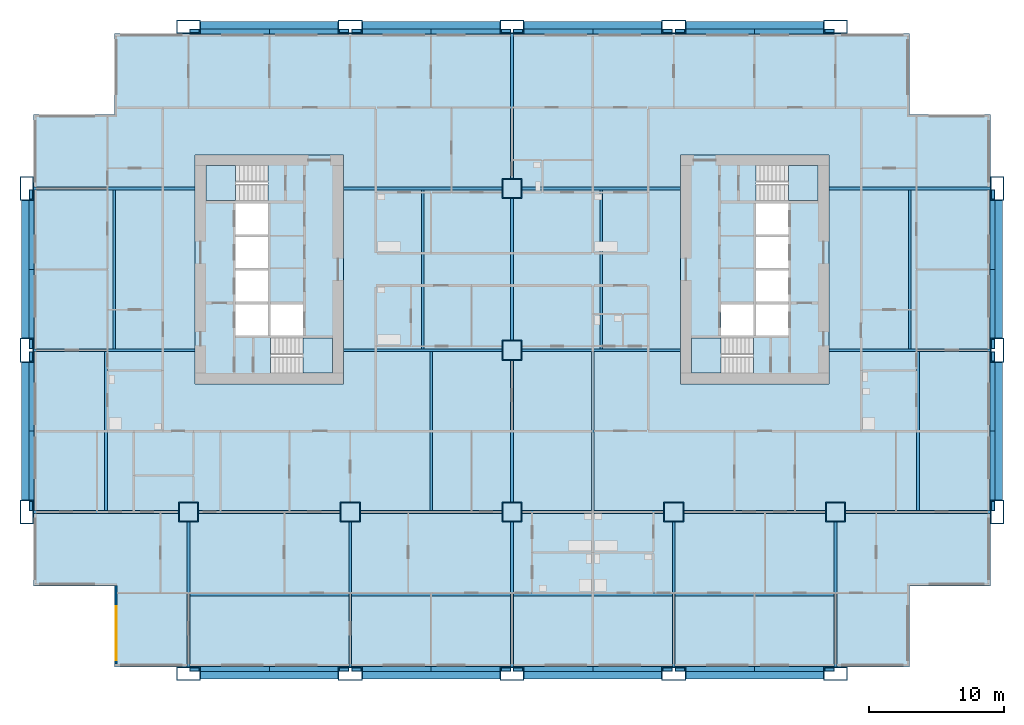
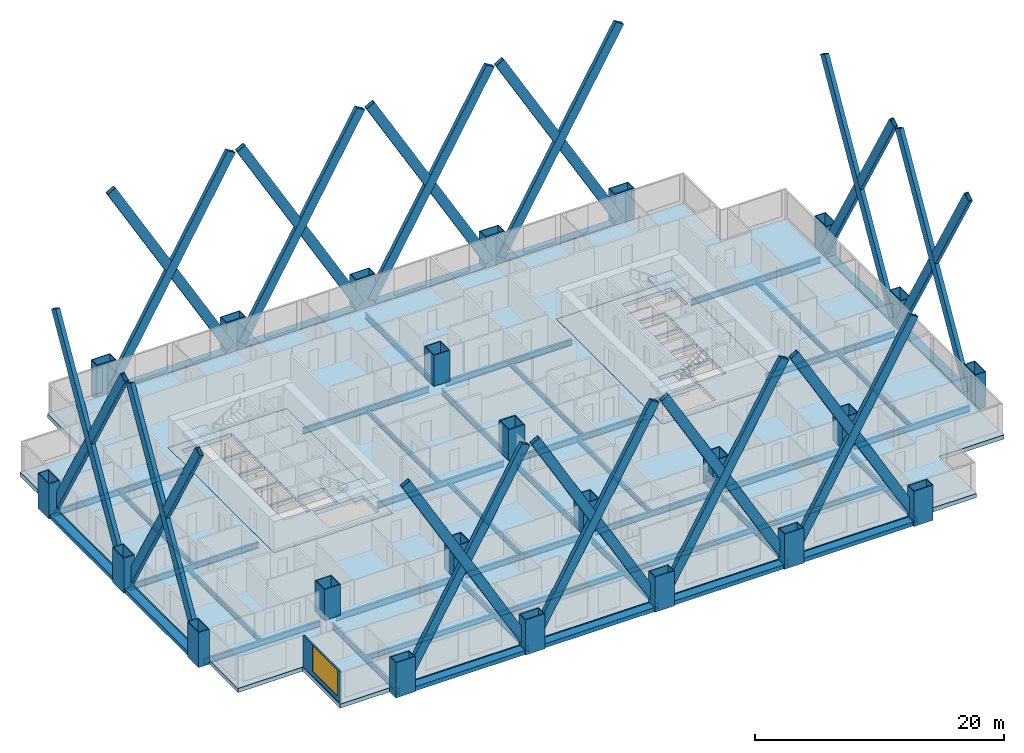
# One storey, part 1 of 13: 46 beams, 24 members, 23 columns, 7 slabs, 1 wall, 1 window, 1 opening, 4 elements without a shape of their own.
"""IFC4 building model written with IfcOpenShell, lengths in metres."""

from ifc_helpers import new_model, si_unit, direction, frame, frame_2d, origin, origin_2d, place, context, subcontext, project, spatial, polyline, rectangle, hollow_rectangle, i_section, outline, extrude, material, layer, layer_set, material_profile, profile_set, type_object, element, fill, aggregate, save


model = new_model("IFC4")

# Units and contexts
model_context = context("Model", 3, precision=1e-05, world=origin(), true_north=direction((0.0, 1.0)))
body_context = subcontext(model_context, "Body", "Model", "MODEL_VIEW")
ifc_project = project(units=[si_unit("LENGTHUNIT", "METRE"), si_unit("AREAUNIT", "SQUARE_METRE"), si_unit("VOLUMEUNIT", "CUBIC_METRE"), si_unit("PLANEANGLEUNIT", "RADIAN"), si_unit("MASSUNIT", "GRAM", prefix="KILO")], contexts=[model_context])

# Site, building, storey
site_placement = place(None, origin())
site = spatial("IfcSite", under=ifc_project, at=site_placement, CompositionType="ELEMENT")
building_placement = place(site_placement, origin())
building = spatial("IfcBuilding", under=site, at=building_placement, Name="Kitamizu Gate Tower and Museum", CompositionType="ELEMENT")
storey_placement = place(building_placement, frame((0.0, 0.0, 50.699951171875)))
storey = spatial("IfcBuildingStorey", under=building, at=storey_placement, Name="L11", CompositionType="ELEMENT", Elevation=50.699951171875)

# Columns
ifc_material_1 = material(Name="Steel SM490A bronze coated", Category="steel")
ifc_material_profile_1 = material_profile(ifc_material_1, hollow_rectangle(XDim=1.800048828125, YDim=1.0, WallThickness=0.070068359375, at=origin_2d()), Name="BOX 1800x1000x70")
ifc_profile_set_1 = profile_set([ifc_material_profile_1], Name="Steel SM490A bronze coated")
column_type_1 = type_object("IfcColumnType", Name="Exoskeleton column XC2 BOX 1800x1000x70", PredefinedType="COLUMN", material=ifc_profile_set_1)
for number, where, z_axis, x_axis, name in (
    (1, (0.0, 12.0, -0.39990234375), (0.0, 0.0, 1.0), (0.0, 1.0, 0.0), "Column XC2 1B L11"),
    (2, (0.0, 24.0, -0.39990234375), (0.0, 0.0, 1.0), (0.0, 1.0, 0.0), "Column XC2 1C L11"),
    (3, (0.0, 36.0, -0.39990234375), (0.0, 0.0, 1.0), (0.0, 1.0, 0.0), "Column XC2 1D L11"),
    (4, (12.0, 0.0, -0.39990234375), (0.0, 0.0, 1.0), (1.0, 0.0, 0.0), "Column XC2 2A L11"),
    (5, (12.0, 48.0, -0.39990234375), (0.0, 0.0, 1.0), (1.0, 0.0, 0.0), "Column XC2 2E L11"),
    (6, (24.0, 0.0, -0.39990234375), (0.0, 0.0, 1.0), (1.0, 0.0, 0.0), "Column XC2 3A L11"),
    (7, (24.0, 48.0, -0.39990234375), (0.0, 0.0, 1.0), (1.0, 0.0, 0.0), "Column XC2 3E L11"),
    (8, (36.0, 0.0, -0.39990234375), (0.0, 0.0, 1.0), (1.0, 0.0, 0.0), "Column XC2 4A L11"),
    (9, (36.0, 48.0, -0.39990234375), (0.0, 0.0, 1.0), (1.0, 0.0, 0.0), "Column XC2 4E L11"),
    (10, (48.0, 0.0, -0.39990234375), (0.0, 0.0, 1.0), (1.0, 0.0, 0.0), "Column XC2 5A L11"),
    (11, (48.0, 48.0, -0.39990234375), (0.0, 0.0, 1.0), (1.0, 0.0, 0.0), "Column XC2 5E L11"),
    (12, (60.0, 0.0, -0.39990234375), (0.0, 0.0, 1.0), (1.0, 0.0, 0.0), "Column XC2 6A L11"),
    (13, (60.0, 48.0, -0.39990234375), (0.0, 0.0, 1.0), (1.0, 0.0, 0.0), "Column XC2 6E L11"),
    (14, (72.0, 12.0, -0.39990234375), (0.0, 0.0, 1.0), (0.0, 1.0, 0.0), "Column XC2 7B L11"),
    (15, (72.0, 24.0, -0.39990234375), (0.0, 0.0, 1.0), (0.0, 1.0, 0.0), "Column XC2 7C L11"),
    (16, (72.0, 36.0, -0.39990234375), (0.0, 0.0, 1.0), (0.0, 1.0, 0.0), "Column XC2 7D L11"),
):
    element("IfcColumn", number, at=place(storey_placement, frame(where, z_axis=z_axis, x_axis=x_axis)), inside=storey, type_object=column_type_1, Name=name, PredefinedType="COLUMN", context=body_context, shape_type="SweptSolid", body=[
        extrude(hollow_rectangle(XDim=1.800048828125, YDim=1.0, WallThickness=0.070068359375, at=origin_2d()), origin(), (0.0, 0.0, 1.0), 3.449951171875),
    ])
ifc_material_2 = material(Name="Steel SM490A", Category="steel")
ifc_material_profile_2 = material_profile(ifc_material_2, hollow_rectangle(XDim=1.5, YDim=1.5, WallThickness=0.06494140625, at=origin_2d()), Name="BOX 1500x1500x65")
ifc_profile_set_2 = profile_set([ifc_material_profile_2], Name="Steel SM490A")
column_type_2 = type_object("IfcColumnType", Name="Interior column IC2 BOX 1500x1500x65", PredefinedType="COLUMN", material=ifc_profile_set_2)
for number, where, z_axis, x_axis, name in (
    (17, (12.0, 12.0, 0.0), (0.0, 0.0, 1.0), (1.0, 0.0, 0.0), "Column IC2 2B L11"),
    (18, (24.0, 12.0, 0.0), (0.0, 0.0, 1.0), (1.0, 0.0, 0.0), "Column IC2 3B L11"),
    (19, (36.0, 12.0, 0.0), (0.0, 0.0, 1.0), (1.0, 0.0, 0.0), "Column IC2 4B L11"),
    (20, (36.0, 24.0, 0.0), (0.0, 0.0, 1.0), (1.0, 0.0, 0.0), "Column IC2 4C L11"),
    (21, (36.0, 36.0, 0.0), (0.0, 0.0, 1.0), (1.0, 0.0, 0.0), "Column IC2 4D L11"),
    (22, (48.0, 12.0, 0.0), (0.0, 0.0, 1.0), (1.0, 0.0, 0.0), "Column IC2 5B L11"),
    (23, (60.0, 12.0, 0.0), (0.0, 0.0, 1.0), (1.0, 0.0, 0.0), "Column IC2 6B L11"),
):
    element("IfcColumn", number, at=place(storey_placement, frame(where, z_axis=z_axis, x_axis=x_axis)), inside=storey, type_object=column_type_2, Name=name, PredefinedType="COLUMN", context=body_context, shape_type="SweptSolid", body=[
        extrude(hollow_rectangle(XDim=1.5, YDim=1.5, WallThickness=0.06494140625, at=origin_2d()), origin(), (0.0, 0.0, 1.0), 3.050048828125),
    ])

# Members
ifc_material_3 = material(Name="Steel SM490A bronze coated", Category="steel")
ifc_material_profile_3 = material_profile(ifc_material_3, hollow_rectangle(XDim=0.3798828125, YDim=0.85009765625, WallThickness=0.0419921875, at=origin_2d()), Name="BOX 380x850x42")
ifc_profile_set_3 = profile_set([ifc_material_profile_3], Name="Steel SM490A bronze coated")
member_type = type_object("IfcMemberType", Name="Exoskeleton brace XB2 BOX 380x850x42", PredefinedType="BRACE", material=ifc_profile_set_3)
for number, where, z_axis, x_axis, name in (
    (24, (12.550048828125, 0.360107421875, 0.60009765625), (0.499070570929, 0.0, 0.866561345337), (0.0, 1.0, 0.0), "Exoskeleton brace XB2 south 12 L11"),
    (25, (23.449951171875, 0.360107421875, 0.60009765625), (-0.499070570929, 0.0, 0.866561345337), (0.0, -1.0, 0.0), "Exoskeleton brace XB2 south 12 L11"),
    (26, (24.550048828125, 0.360107421875, 0.60009765625), (0.499070570929, 0.0, 0.866561345337), (0.0, 1.0, 0.0), "Exoskeleton brace XB2 south 24 L11"),
    (27, (35.449951171875, 0.360107421875, 0.60009765625), (-0.499070570929, 0.0, 0.866561345337), (0.0, -1.0, 0.0), "Exoskeleton brace XB2 south 24 L11"),
    (28, (36.550048828125, 0.360107421875, 0.60009765625), (0.499070570929, 0.0, 0.866561345337), (0.0, 1.0, 0.0), "Exoskeleton brace XB2 south 36 L11"),
    (29, (47.449951171875, 0.360107421875, 0.60009765625), (-0.499070570929, 0.0, 0.866561345337), (0.0, -1.0, 0.0), "Exoskeleton brace XB2 south 36 L11"),
    (30, (48.550048828125, 0.360107421875, 0.60009765625), (0.499070570929, 0.0, 0.866561345337), (0.0, 1.0, 0.0), "Exoskeleton brace XB2 south 48 L11"),
    (31, (59.449951171875, 0.360107421875, 0.60009765625), (-0.499070570929, 0.0, 0.866561345337), (0.0, -1.0, 0.0), "Exoskeleton brace XB2 south 48 L11"),
    (32, (12.550048828125, 47.639892578125, 0.60009765625), (0.499070570929, 0.0, 0.866561345337), (0.0, 1.0, 0.0), "Exoskeleton brace XB2 north 12 L11"),
    (33, (23.449951171875, 47.639892578125, 0.60009765625), (-0.499070570929, 0.0, 0.866561345337), (0.0, -1.0, 0.0), "Exoskeleton brace XB2 north 12 L11"),
    (34, (24.550048828125, 47.639892578125, 0.60009765625), (0.499070570929, 0.0, 0.866561345337), (0.0, 1.0, 0.0), "Exoskeleton brace XB2 north 24 L11"),
    (35, (35.449951171875, 47.639892578125, 0.60009765625), (-0.499070570929, 0.0, 0.866561345337), (0.0, -1.0, 0.0), "Exoskeleton brace XB2 north 24 L11"),
    (36, (36.550048828125, 47.639892578125, 0.60009765625), (0.499070570929, 0.0, 0.866561345337), (0.0, 1.0, 0.0), "Exoskeleton brace XB2 north 36 L11"),
    (37, (47.449951171875, 47.639892578125, 0.60009765625), (-0.499070570929, 0.0, 0.866561345337), (0.0, -1.0, 0.0), "Exoskeleton brace XB2 north 36 L11"),
    (38, (48.550048828125, 47.639892578125, 0.60009765625), (0.499070570929, 0.0, 0.866561345337), (0.0, 1.0, 0.0), "Exoskeleton brace XB2 north 48 L11"),
    (39, (59.449951171875, 47.639892578125, 0.60009765625), (-0.499070570929, 0.0, 0.866561345337), (0.0, -1.0, 0.0), "Exoskeleton brace XB2 north 48 L11"),
    (40, (0.360107421875, 12.550048828125, 0.60009765625), (0.0, 0.499070570929, 0.866561345337), (-1.0, 0.0, 0.0), "Exoskeleton brace XB2 west 12 L11"),
    (41, (0.360107421875, 23.449951171875, 0.60009765625), (0.0, -0.499070570929, 0.866561345337), (1.0, 0.0, 0.0), "Exoskeleton brace XB2 west 12 L11"),
    (42, (0.360107421875, 24.550048828125, 0.60009765625), (0.0, 0.499070570929, 0.866561345337), (-1.0, 0.0, 0.0), "Exoskeleton brace XB2 west 24 L11"),
    (43, (0.360107421875, 35.449951171875, 0.60009765625), (0.0, -0.499070570929, 0.866561345337), (1.0, 0.0, 0.0), "Exoskeleton brace XB2 west 24 L11"),
    (44, (71.639892578125, 12.550048828125, 0.60009765625), (0.0, 0.499070570929, 0.866561345337), (-1.0, 0.0, 0.0), "Exoskeleton brace XB2 east 12 L11"),
    (45, (71.639892578125, 23.449951171875, 0.60009765625), (0.0, -0.499070570929, 0.866561345337), (1.0, 0.0, 0.0), "Exoskeleton brace XB2 east 12 L11"),
    (46, (71.639892578125, 24.550048828125, 0.60009765625), (0.0, 0.499070570929, 0.866561345337), (-1.0, 0.0, 0.0), "Exoskeleton brace XB2 east 24 L11"),
    (47, (71.639892578125, 35.449951171875, 0.60009765625), (0.0, -0.499070570929, 0.866561345337), (1.0, 0.0, 0.0), "Exoskeleton brace XB2 east 24 L11"),
):
    element("IfcMember", number, at=place(storey_placement, frame(where, z_axis=z_axis, x_axis=x_axis)), inside=storey, type_object=member_type, Name=name, PredefinedType="BRACE", context=body_context, shape_type="SweptSolid", body=[
        extrude(hollow_rectangle(XDim=0.3798828125, YDim=0.85009765625, WallThickness=0.0419921875, at=origin_2d()), origin(), (0.0, 0.0, 1.0), 22.041015625),
    ])

# Beams
ifc_material_4 = material(Name="Steel SM490A bronze coated", Category="steel")
ifc_material_profile_4 = material_profile(ifc_material_4, hollow_rectangle(XDim=0.800048828125, YDim=0.39990234375, WallThickness=0.0400390625, at=origin_2d()), Name="BOX 800x400x40")
ifc_profile_set_4 = profile_set([ifc_material_profile_4], Name="Steel SM490A bronze coated")
beam_type_1 = type_object("IfcBeamType", Name="Exoskeleton spandrel beam SB1 BOX 800x400x40", PredefinedType="SPANDREL", material=ifc_profile_set_4)
for number, where, z_axis, x_axis, name in (
    (48, (12.89990234375, 0.0, -0.199951171875), (1.0, 0.0, 0.0), (0.0, 1.0, 0.0), "Exoskeleton spandrel beam south 12 L11"),
    (49, (24.89990234375, 0.0, -0.199951171875), (1.0, 0.0, 0.0), (0.0, 1.0, 0.0), "Exoskeleton spandrel beam south 24 L11"),
    (50, (36.89990234375, 0.0, -0.199951171875), (1.0, 0.0, 0.0), (0.0, 1.0, 0.0), "Exoskeleton spandrel beam south 36 L11"),
    (51, (48.89990234375, 0.0, -0.199951171875), (1.0, 0.0, 0.0), (0.0, 1.0, 0.0), "Exoskeleton spandrel beam south 48 L11"),
    (52, (12.89990234375, 48.0, -0.199951171875), (1.0, 0.0, 0.0), (0.0, 1.0, 0.0), "Exoskeleton spandrel beam north 12 L11"),
    (53, (24.89990234375, 48.0, -0.199951171875), (1.0, 0.0, 0.0), (0.0, 1.0, 0.0), "Exoskeleton spandrel beam north 24 L11"),
    (54, (36.89990234375, 48.0, -0.199951171875), (1.0, 0.0, 0.0), (0.0, 1.0, 0.0), "Exoskeleton spandrel beam north 36 L11"),
    (55, (48.89990234375, 48.0, -0.199951171875), (1.0, 0.0, 0.0), (0.0, 1.0, 0.0), "Exoskeleton spandrel beam north 48 L11"),
    (56, (0.0, 12.89990234375, -0.199951171875), (0.0, 1.0, 0.0), (-1.0, 0.0, 0.0), "Exoskeleton spandrel beam west 12 L11"),
    (57, (0.0, 24.89990234375, -0.199951171875), (0.0, 1.0, 0.0), (-1.0, 0.0, 0.0), "Exoskeleton spandrel beam west 24 L11"),
    (58, (72.0, 12.89990234375, -0.199951171875), (0.0, 1.0, 0.0), (-1.0, 0.0, 0.0), "Exoskeleton spandrel beam east 12 L11"),
    (59, (72.0, 24.89990234375, -0.199951171875), (0.0, 1.0, 0.0), (-1.0, 0.0, 0.0), "Exoskeleton spandrel beam east 24 L11"),
):
    element("IfcBeam", number, at=place(storey_placement, frame(where, z_axis=z_axis, x_axis=x_axis)), inside=storey, type_object=beam_type_1, Name=name, PredefinedType="SPANDREL", context=body_context, shape_type="SweptSolid", body=[
        extrude(hollow_rectangle(XDim=0.800048828125, YDim=0.39990234375, WallThickness=0.0400390625, at=origin_2d()), origin(), (0.0, 0.0, 1.0), 10.2001953125),
    ])
ifc_material_5 = material(Name="Steel SM490A", Category="steel")
ifc_material_profile_5 = material_profile(ifc_material_5, i_section(OverallWidth=0.199951171875, OverallDepth=0.5, WebThickness=0.010009765625, FlangeThickness=0.01611328125, FilletRadius=0.02001953125, at=origin_2d()), Name="H-500x200x10x16")
ifc_profile_set_5 = profile_set([ifc_material_profile_5], Name="Steel SM490A")
beam_type_2 = type_object("IfcBeamType", Name="Floor beam FB1 H 500x200x10x16", PredefinedType="BEAM", material=ifc_profile_set_5)
for number, where, z_axis, x_axis, name in (
    (60, (12.10009765625, 5.875, -0.64990234375), (1.0, 0.0, 0.0), (0.0, 1.0, 0.0), "Floor beam FB1 L11-1"),
    (61, (24.10009765625, 5.875, -0.64990234375), (1.0, 0.0, 0.0), (0.0, 1.0, 0.0), "Floor beam FB1 L11-2"),
    (62, (36.10009765625, 5.875, -0.64990234375), (1.0, 0.0, 0.0), (0.0, 1.0, 0.0), "Floor beam FB1 L11-3"),
    (63, (48.10009765625, 5.875, -0.64990234375), (1.0, 0.0, 0.0), (0.0, 1.0, 0.0), "Floor beam FB1 L11-4"),
    (64, (5.875, 12.10009765625, -0.64990234375), (0.0, 1.0, 0.0), (-1.0, 0.0, 0.0), "Floor beam FB1 L11-5"),
    (65, (30.0, 12.10009765625, -0.64990234375), (0.0, 1.0, 0.0), (-1.0, 0.0, 0.0), "Floor beam FB1 L11-6"),
    (66, (42.0, 12.10009765625, -0.64990234375), (0.0, 1.0, 0.0), (-1.0, 0.0, 0.0), "Floor beam FB1 L11-7"),
    (67, (66.125, 12.10009765625, -0.64990234375), (0.0, 1.0, 0.0), (-1.0, 0.0, 0.0), "Floor beam FB1 L11-8"),
    (68, (6.5, 24.10009765625, -0.64990234375), (0.0, 1.0, 0.0), (-1.0, 0.0, 0.0), "Floor beam FB1 L11-9"),
    (69, (29.375, 24.10009765625, -0.64990234375), (0.0, 1.0, 0.0), (-1.0, 0.0, 0.0), "Floor beam FB1 L11-10"),
    (70, (42.625, 24.10009765625, -0.64990234375), (0.0, 1.0, 0.0), (-1.0, 0.0, 0.0), "Floor beam FB1 L11-11"),
    (71, (65.5, 24.10009765625, -0.64990234375), (0.0, 1.0, 0.0), (-1.0, 0.0, 0.0), "Floor beam FB1 L11-12"),
):
    element("IfcBeam", number, at=place(storey_placement, frame(where, z_axis=z_axis, x_axis=x_axis)), inside=storey, type_object=beam_type_2, Name=name, PredefinedType="BEAM", context=body_context, shape_type="SweptSolid", body=[
        extrude(i_section(OverallWidth=0.199951171875, OverallDepth=0.5, WebThickness=0.010009765625, FlangeThickness=0.01611328125, FilletRadius=0.02001953125, at=origin_2d()), origin(), (0.0, 0.0, 1.0), 11.7998046875),
    ])
ifc_material_6 = material(Name="Steel SM490A", Category="steel")
ifc_material_profile_6 = material_profile(ifc_material_6, i_section(OverallWidth=0.199951171875, OverallDepth=0.60009765625, WebThickness=0.010986328125, FlangeThickness=0.01708984375, FilletRadius=0.02197265625, at=origin_2d()), Name="H-600x200x11x17")
ifc_profile_set_6 = profile_set([ifc_material_profile_6], Name="Steel SM490A")
beam_type_3 = type_object("IfcBeamType", Name="Floor girder FG1 H 600x200x11x17", PredefinedType="BEAM", material=ifc_profile_set_6)
for number, where, z_axis, x_axis, name in (
    (72, (12.0, 0.5, -0.699951171875), (0.0, 1.0, 0.0), (-1.0, 0.0, 0.0), "Floor girder FG1 x12 L11"),
    (73, (24.0, 0.5, -0.699951171875), (0.0, 1.0, 0.0), (-1.0, 0.0, 0.0), "Floor girder FG1 x24 L11"),
    (74, (36.0, 0.5, -0.699951171875), (0.0, 1.0, 0.0), (-1.0, 0.0, 0.0), "Floor girder FG1 x36 L11"),
):
    element("IfcBeam", number, at=place(storey_placement, frame(where, z_axis=z_axis, x_axis=x_axis)), inside=storey, type_object=beam_type_3, Name=name, PredefinedType="BEAM", context=body_context, shape_type="SweptSolid", body=[
        extrude(i_section(OverallWidth=0.199951171875, OverallDepth=0.60009765625, WebThickness=0.010986328125, FlangeThickness=0.01708984375, FilletRadius=0.02197265625, at=origin_2d()), origin(), (0.0, 0.0, 1.0), 10.75),
    ])
for number, where, z_axis, x_axis, name in (
    (75, (36.0, 12.75, -0.699951171875), (0.0, 1.0, 0.0), (-1.0, 0.0, 0.0), "Floor girder FG1 x36 L11"),
    (76, (36.0, 24.75, -0.699951171875), (0.0, 1.0, 0.0), (-1.0, 0.0, 0.0), "Floor girder FG1 x36 L11"),
):
    element("IfcBeam", number, at=place(storey_placement, frame(where, z_axis=z_axis, x_axis=x_axis)), inside=storey, type_object=beam_type_3, Name=name, PredefinedType="BEAM", context=body_context, shape_type="SweptSolid", body=[
        extrude(i_section(OverallWidth=0.199951171875, OverallDepth=0.60009765625, WebThickness=0.010986328125, FlangeThickness=0.01708984375, FilletRadius=0.02197265625, at=origin_2d()), origin(), (0.0, 0.0, 1.0), 10.5),
    ])
for number, where, z_axis, x_axis, name in (
    (77, (36.0, 36.75, -0.699951171875), (0.0, 1.0, 0.0), (-1.0, 0.0, 0.0), "Floor girder FG1 x36 L11"),
    (78, (48.0, 0.5, -0.699951171875), (0.0, 1.0, 0.0), (-1.0, 0.0, 0.0), "Floor girder FG1 x48 L11"),
    (79, (60.0, 0.5, -0.699951171875), (0.0, 1.0, 0.0), (-1.0, 0.0, 0.0), "Floor girder FG1 x60 L11"),
    (80, (0.5, 12.0, -0.699951171875), (1.0, 0.0, 0.0), (0.0, 1.0, 0.0), "Floor girder FG1 y12 L11"),
):
    element("IfcBeam", number, at=place(storey_placement, frame(where, z_axis=z_axis, x_axis=x_axis)), inside=storey, type_object=beam_type_3, Name=name, PredefinedType="BEAM", context=body_context, shape_type="SweptSolid", body=[
        extrude(i_section(OverallWidth=0.199951171875, OverallDepth=0.60009765625, WebThickness=0.010986328125, FlangeThickness=0.01708984375, FilletRadius=0.02197265625, at=origin_2d()), origin(), (0.0, 0.0, 1.0), 10.75),
    ])
for number, where, z_axis, x_axis, name in (
    (81, (12.75, 12.0, -0.699951171875), (1.0, 0.0, 0.0), (0.0, 1.0, 0.0), "Floor girder FG1 y12 L11"),
    (82, (24.75, 12.0, -0.699951171875), (1.0, 0.0, 0.0), (0.0, 1.0, 0.0), "Floor girder FG1 y12 L11"),
    (83, (36.75, 12.0, -0.699951171875), (1.0, 0.0, 0.0), (0.0, 1.0, 0.0), "Floor girder FG1 y12 L11"),
    (84, (48.75, 12.0, -0.699951171875), (1.0, 0.0, 0.0), (0.0, 1.0, 0.0), "Floor girder FG1 y12 L11"),
):
    element("IfcBeam", number, at=place(storey_placement, frame(where, z_axis=z_axis, x_axis=x_axis)), inside=storey, type_object=beam_type_3, Name=name, PredefinedType="BEAM", context=body_context, shape_type="SweptSolid", body=[
        extrude(i_section(OverallWidth=0.199951171875, OverallDepth=0.60009765625, WebThickness=0.010986328125, FlangeThickness=0.01708984375, FilletRadius=0.02197265625, at=origin_2d()), origin(), (0.0, 0.0, 1.0), 10.5),
    ])
beam_1_placement = place(storey_placement, frame((60.75, 12.0, -0.699951171875), z_axis=(1.0, 0.0, 0.0), x_axis=(0.0, 1.0, 0.0)))
element("IfcBeam", 85, at=beam_1_placement, inside=storey, type_object=beam_type_3, Name="Floor girder FG1 y12 L11", PredefinedType="BEAM", context=body_context, shape_type="SweptSolid", body=[
    extrude(i_section(OverallWidth=0.199951171875, OverallDepth=0.60009765625, WebThickness=0.010986328125, FlangeThickness=0.01708984375, FilletRadius=0.02197265625, at=origin_2d()), origin(), (0.0, 0.0, 1.0), 10.75),
])
beam_2_placement = place(storey_placement, frame((0.5, 24.0, -0.699951171875), z_axis=(1.0, 0.0, 0.0), x_axis=(0.0, 1.0, 0.0)))
element("IfcBeam", 86, at=beam_2_placement, inside=storey, type_object=beam_type_3, Name="Floor girder FG1 y24 L11", PredefinedType="BEAM", context=body_context, shape_type="SweptSolid", body=[
    extrude(i_section(OverallWidth=0.199951171875, OverallDepth=0.60009765625, WebThickness=0.010986328125, FlangeThickness=0.01708984375, FilletRadius=0.02197265625, at=origin_2d()), origin(), (0.0, 0.0, 1.0), 12.0),
])
for number, where, z_axis, x_axis, name in (
    (87, (23.5, 24.0, -0.699951171875), (1.0, 0.0, 0.0), (0.0, 1.0, 0.0), "Floor girder FG1 y24 L11"),
    (88, (36.75, 24.0, -0.699951171875), (1.0, 0.0, 0.0), (0.0, 1.0, 0.0), "Floor girder FG1 y24 L11"),
):
    element("IfcBeam", number, at=place(storey_placement, frame(where, z_axis=z_axis, x_axis=x_axis)), inside=storey, type_object=beam_type_3, Name=name, PredefinedType="BEAM", context=body_context, shape_type="SweptSolid", body=[
        extrude(i_section(OverallWidth=0.199951171875, OverallDepth=0.60009765625, WebThickness=0.010986328125, FlangeThickness=0.01708984375, FilletRadius=0.02197265625, at=origin_2d()), origin(), (0.0, 0.0, 1.0), 11.75),
    ])
for number, where, z_axis, x_axis, name in (
    (89, (59.5, 24.0, -0.699951171875), (1.0, 0.0, 0.0), (0.0, 1.0, 0.0), "Floor girder FG1 y24 L11"),
    (90, (0.5, 36.0, -0.699951171875), (1.0, 0.0, 0.0), (0.0, 1.0, 0.0), "Floor girder FG1 y36 L11"),
):
    element("IfcBeam", number, at=place(storey_placement, frame(where, z_axis=z_axis, x_axis=x_axis)), inside=storey, type_object=beam_type_3, Name=name, PredefinedType="BEAM", context=body_context, shape_type="SweptSolid", body=[
        extrude(i_section(OverallWidth=0.199951171875, OverallDepth=0.60009765625, WebThickness=0.010986328125, FlangeThickness=0.01708984375, FilletRadius=0.02197265625, at=origin_2d()), origin(), (0.0, 0.0, 1.0), 12.0),
    ])
for number, where, z_axis, x_axis, name in (
    (91, (23.5, 36.0, -0.699951171875), (1.0, 0.0, 0.0), (0.0, 1.0, 0.0), "Floor girder FG1 y36 L11"),
    (92, (36.75, 36.0, -0.699951171875), (1.0, 0.0, 0.0), (0.0, 1.0, 0.0), "Floor girder FG1 y36 L11"),
):
    element("IfcBeam", number, at=place(storey_placement, frame(where, z_axis=z_axis, x_axis=x_axis)), inside=storey, type_object=beam_type_3, Name=name, PredefinedType="BEAM", context=body_context, shape_type="SweptSolid", body=[
        extrude(i_section(OverallWidth=0.199951171875, OverallDepth=0.60009765625, WebThickness=0.010986328125, FlangeThickness=0.01708984375, FilletRadius=0.02197265625, at=origin_2d()), origin(), (0.0, 0.0, 1.0), 11.75),
    ])
beam_3_placement = place(storey_placement, frame((59.5, 36.0, -0.699951171875), z_axis=(1.0, 0.0, 0.0), x_axis=(0.0, 1.0, 0.0)))
element("IfcBeam", 93, at=beam_3_placement, inside=storey, type_object=beam_type_3, Name="Floor girder FG1 y36 L11", PredefinedType="BEAM", context=body_context, shape_type="SweptSolid", body=[
    extrude(i_section(OverallWidth=0.199951171875, OverallDepth=0.60009765625, WebThickness=0.010986328125, FlangeThickness=0.01708984375, FilletRadius=0.02197265625, at=origin_2d()), origin(), (0.0, 0.0, 1.0), 12.0),
])

# Slabs
ifc_material_7 = material(Name="Concrete Fc36", Category="concrete")
ifc_layer_1 = layer(ifc_material_7, 0.39990234375)
ifc_layer_set_1 = layer_set([ifc_layer_1], Name="Concrete Fc36")
slab_type_1 = type_object("IfcSlabType", Name="Core floor slab 400", PredefinedType="FLOOR", material=ifc_layer_set_1)
slab_1_placement = place(storey_placement, frame((0.0, 0.0, -0.39990234375)))
element("IfcSlab", 94, at=slab_1_placement, inside=storey, type_object=slab_type_1, Name="Core floor slab W", PredefinedType="FLOOR", context=body_context, shape_type="SweptSolid", body=[
    extrude(outline(polyline([(12.5, 21.5), (23.5, 21.5), (23.5, 38.5), (12.5, 38.5), (12.5, 21.5)]), holes=[polyline([(15.5, 25.10009765625), (17.89990234375, 25.10009765625), (17.89990234375, 27.39990234375), (15.5, 27.39990234375), (15.5, 25.10009765625)]), polyline([(15.5, 27.60009765625), (17.89990234375, 27.60009765625), (17.89990234375, 29.89990234375), (15.5, 29.89990234375), (15.5, 27.60009765625)]), polyline([(15.5, 30.10009765625), (17.89990234375, 30.10009765625), (17.89990234375, 32.39990234375), (15.5, 32.39990234375), (15.5, 30.10009765625)]), polyline([(15.5, 32.60009765625), (17.89990234375, 32.60009765625), (17.89990234375, 34.89990234375), (15.5, 34.89990234375), (15.5, 32.60009765625)]), polyline([(18.10009765625, 25.10009765625), (20.5, 25.10009765625), (20.5, 27.39990234375), (18.10009765625, 27.39990234375), (18.10009765625, 25.10009765625)]), polyline([(18.1005859375, 22.300048828125), (22.699951171875, 22.300048828125), (22.699951171875, 24.89990234375), (18.1005859375, 24.89990234375), (18.1005859375, 22.300048828125)]), polyline([(13.300048828125, 35.10009765625), (17.8994140625, 35.10009765625), (17.8994140625, 37.699951171875), (13.300048828125, 37.699951171875), (13.300048828125, 35.10009765625)])]), origin(), (0.0, 0.0, 1.0), 0.39990234375),
])
slab_2_placement = place(storey_placement, frame((0.0, 0.0, -0.39990234375)))
element("IfcSlab", 95, at=slab_2_placement, inside=storey, type_object=slab_type_1, Name="Core floor slab E", PredefinedType="FLOOR", context=body_context, shape_type="SweptSolid", body=[
    extrude(outline(polyline([(48.5, 21.5), (59.5, 21.5), (59.5, 38.5), (48.5, 38.5), (48.5, 21.5)]), holes=[polyline([(54.10009765625, 25.10009765625), (56.5, 25.10009765625), (56.5, 27.39990234375), (54.10009765625, 27.39990234375), (54.10009765625, 25.10009765625)]), polyline([(54.10009765625, 27.60009765625), (56.5, 27.60009765625), (56.5, 29.89990234375), (54.10009765625, 29.89990234375), (54.10009765625, 27.60009765625)]), polyline([(54.10009765625, 30.10009765625), (56.5, 30.10009765625), (56.5, 32.39990234375), (54.10009765625, 32.39990234375), (54.10009765625, 30.10009765625)]), polyline([(54.10009765625, 32.60009765625), (56.5, 32.60009765625), (56.5, 34.89990234375), (54.10009765625, 34.89990234375), (54.10009765625, 32.60009765625)]), polyline([(51.5, 25.10009765625), (53.89990234375, 25.10009765625), (53.89990234375, 27.39990234375), (51.5, 27.39990234375), (51.5, 25.10009765625)]), polyline([(49.300048828125, 22.300048828125), (53.8994140625, 22.300048828125), (53.8994140625, 24.89990234375), (49.300048828125, 24.89990234375), (49.300048828125, 22.300048828125)]), polyline([(54.1005859375, 35.10009765625), (58.699951171875, 35.10009765625), (58.699951171875, 37.699951171875), (54.1005859375, 37.699951171875), (54.1005859375, 35.10009765625)])]), origin(), (0.0, 0.0, 1.0), 0.39990234375),
])
ifc_material_8 = material(Name="Concrete Fc36", Category="concrete")
ifc_layer_2 = layer(ifc_material_8, 0.39990234375)
ifc_layer_set_2 = layer_set([ifc_layer_2], Name="Concrete Fc36")
slab_type_2 = type_object("IfcSlabType", Name="Post tensioned flat slab 400", PredefinedType="FLOOR", material=ifc_layer_set_2)
slab_3_placement = place(storey_placement, frame((0.0, 0.0, -0.39990234375)))
element("IfcSlab", 96, at=slab_3_placement, inside=storey, type_object=slab_type_2, Name="Floor slab L11-1", PredefinedType="FLOOR", context=body_context, shape_type="SweptSolid", body=[
    extrude(outline(polyline([(0.5, 6.5), (0.5, 41.5), (6.5, 41.5), (6.5, 47.5), (65.5, 47.5), (65.5, 41.5), (71.5, 41.5), (71.5, 6.5), (65.5, 6.5), (65.5, 0.5), (6.5, 0.5), (6.5, 6.5), (0.5, 6.5)]), holes=[polyline([(59.5, 38.5), (48.5, 38.5), (48.5, 21.5), (59.5, 21.5), (59.5, 38.5)]), polyline([(12.5, 38.5), (12.5, 21.5), (23.5, 21.5), (23.5, 38.5), (12.5, 38.5)])]), origin(), (0.0, 0.0, 1.0), 0.39990234375),
])

# Stair, slab
ifc_material_9 = material(Name="Concrete Fc42", Category="concrete")
stair_type = type_object("IfcStairType", Name="Exit stair 1200 wide 192 rise 300 going", PredefinedType="HALF_TURN_STAIR", material=ifc_material_9)
stair_1_placement = place(storey_placement, origin())
stair_1 = element("IfcStair", 97, at=stair_1_placement, inside=storey, type_object=stair_type, Name="Exit stair ST1", PredefinedType="HALF_TURN_STAIR")
ifc_material_10 = material(Name="Concrete Fc42", Category="concrete")
ifc_layer_3 = layer(ifc_material_10, 0.300048828125)
ifc_layer_set_3 = layer_set([ifc_layer_3], Name="Concrete Fc42")
slab_type_3 = type_object("IfcSlabType", Name="Stair landing 300", PredefinedType="LANDING", material=ifc_layer_set_3)
slab_4_placement = place(storey_placement, frame((0.0, 0.0, 1.425048828125)))
slab_4 = element("IfcSlab", 98, at=slab_4_placement, type_object=slab_type_3, Name="ST1 landing 1", PredefinedType="LANDING", context=body_context, shape_type="SweptSolid", body=[
    extrude(outline(polyline([(20.5, 22.300048828125), (22.699951171875, 22.300048828125), (22.699951171875, 24.89990234375), (20.5, 24.89990234375), (20.5, 22.300048828125)])), origin(), (0.0, 0.0, 1.0), 0.300048828125),
])
aggregate(stair_1, [slab_4])

stair_2_placement = place(storey_placement, origin())
stair_2 = element("IfcStair", 99, at=stair_2_placement, inside=storey, type_object=stair_type, Name="Exit stair ST2", PredefinedType="HALF_TURN_STAIR")
slab_5_placement = place(storey_placement, frame((0.0, 0.0, 1.425048828125)))
slab_5 = element("IfcSlab", 100, at=slab_5_placement, type_object=slab_type_3, Name="ST2 landing 1", PredefinedType="LANDING", context=body_context, shape_type="SweptSolid", body=[
    extrude(outline(polyline([(13.300048828125, 35.10009765625), (15.5, 35.10009765625), (15.5, 37.699951171875), (13.300048828125, 37.699951171875), (13.300048828125, 35.10009765625)])), origin(), (0.0, 0.0, 1.0), 0.300048828125),
])
aggregate(stair_2, [slab_5])

stair_3_placement = place(storey_placement, origin())
stair_3 = element("IfcStair", 101, at=stair_3_placement, inside=storey, type_object=stair_type, Name="Exit stair ST3", PredefinedType="HALF_TURN_STAIR")
slab_6_placement = place(storey_placement, frame((0.0, 0.0, 1.425048828125)))
slab_6 = element("IfcSlab", 102, at=slab_6_placement, type_object=slab_type_3, Name="ST3 landing 1", PredefinedType="LANDING", context=body_context, shape_type="SweptSolid", body=[
    extrude(outline(polyline([(49.300048828125, 22.300048828125), (51.5, 22.300048828125), (51.5, 24.89990234375), (49.300048828125, 24.89990234375), (49.300048828125, 22.300048828125)])), origin(), (0.0, 0.0, 1.0), 0.300048828125),
])
aggregate(stair_3, [slab_6])

stair_4_placement = place(storey_placement, origin())
stair_4 = element("IfcStair", 103, at=stair_4_placement, inside=storey, type_object=stair_type, Name="Exit stair ST4", PredefinedType="HALF_TURN_STAIR")
slab_7_placement = place(storey_placement, frame((0.0, 0.0, 1.425048828125)))
slab_7 = element("IfcSlab", 104, at=slab_7_placement, type_object=slab_type_3, Name="ST4 landing 1", PredefinedType="LANDING", context=body_context, shape_type="SweptSolid", body=[
    extrude(outline(polyline([(56.5, 35.10009765625), (58.699951171875, 35.10009765625), (58.699951171875, 37.699951171875), (56.5, 37.699951171875), (56.5, 35.10009765625)])), origin(), (0.0, 0.0, 1.0), 0.300048828125),
])
aggregate(stair_4, [slab_7])

# Wall, opening, window
ifc_material_11 = material(Name="Bronze anodised aluminium frame with insulated spandrel and tinted glass", Category="aluminium")
ifc_layer_4 = layer(ifc_material_11, 0.14990234375)
ifc_layer_set_4 = layer_set([ifc_layer_4], Name="Bronze anodised aluminium frame with insulated spandrel and tinted glass")
wall_type = type_object("IfcWallType", Name="WINDOW WALL 150 BRONZE FRAME EI 30", PredefinedType="ELEMENTEDWALL", material=ifc_layer_set_4)
wall_placement = place(storey_placement, frame((6.635009765625, 0.7099609375, 0.0), z_axis=(0.0, 0.0, 1.0), x_axis=(0.0, 1.0, 0.0)))
wall = element("IfcWall", 105, at=wall_placement, inside=storey, type_object=wall_type, Name="Window wall west L11", PredefinedType="ELEMENTEDWALL", context=body_context, shape_type="SweptSolid", body=[
    extrude(rectangle(XDim=5.85009765625, YDim=0.14990234375, at=frame_2d((2.925048828125, 0.0))), origin(), (0.0, 0.0, 1.0), 3.050048828125),
])
opening_placement = place(wall_placement, frame((0.2900390625, 0.0, 0.449951171875)))
opening = element("IfcOpeningElement", 106, at=opening_placement, cuts=wall, Name="Opening W16", PredefinedType="OPENING", context=body_context, shape_type="SweptSolid", body=[
    extrude(rectangle(XDim=4.0, YDim=2.550048828125, at=frame_2d((2.0, 1.27490234375))), frame((0.0, 0.0849609375, 0.0), z_axis=(0.0, -1.0, 0.0), x_axis=(1.0, 0.0, 0.0)), (0.0, 0.0, 1.0), 0.169921875),
])
ifc_material_12 = material(Name="Bronze anodised aluminium frame, tinted triple glazing", Category="aluminium")
window_type = type_object("IfcWindowType", Name="WINDOW 4000 x 2550 SILL 450", PartitioningType="SINGLE_PANEL", PredefinedType="WINDOW", material=ifc_material_12)
window_placement = place(opening_placement, origin())
window = element("IfcWindow", 107, at=window_placement, inside=storey, type_object=window_type, Name="Window W16 L11", OverallHeight=2.550048828125, OverallWidth=4.0, PartitioningType="SINGLE_PANEL", PredefinedType="WINDOW", context=body_context, shape_type="SweptSolid", body=[
    extrude(rectangle(XDim=4.0, YDim=2.550048828125, at=frame_2d((2.0, 1.27490234375))), frame((0.0, 0.030029296875, 0.0), z_axis=(0.0, -1.0, 0.0), x_axis=(1.0, 0.0, 0.0)), (0.0, 0.0, 1.0), 0.06005859375),
])
fill(opening, window)

save(model, "model.ifc")
